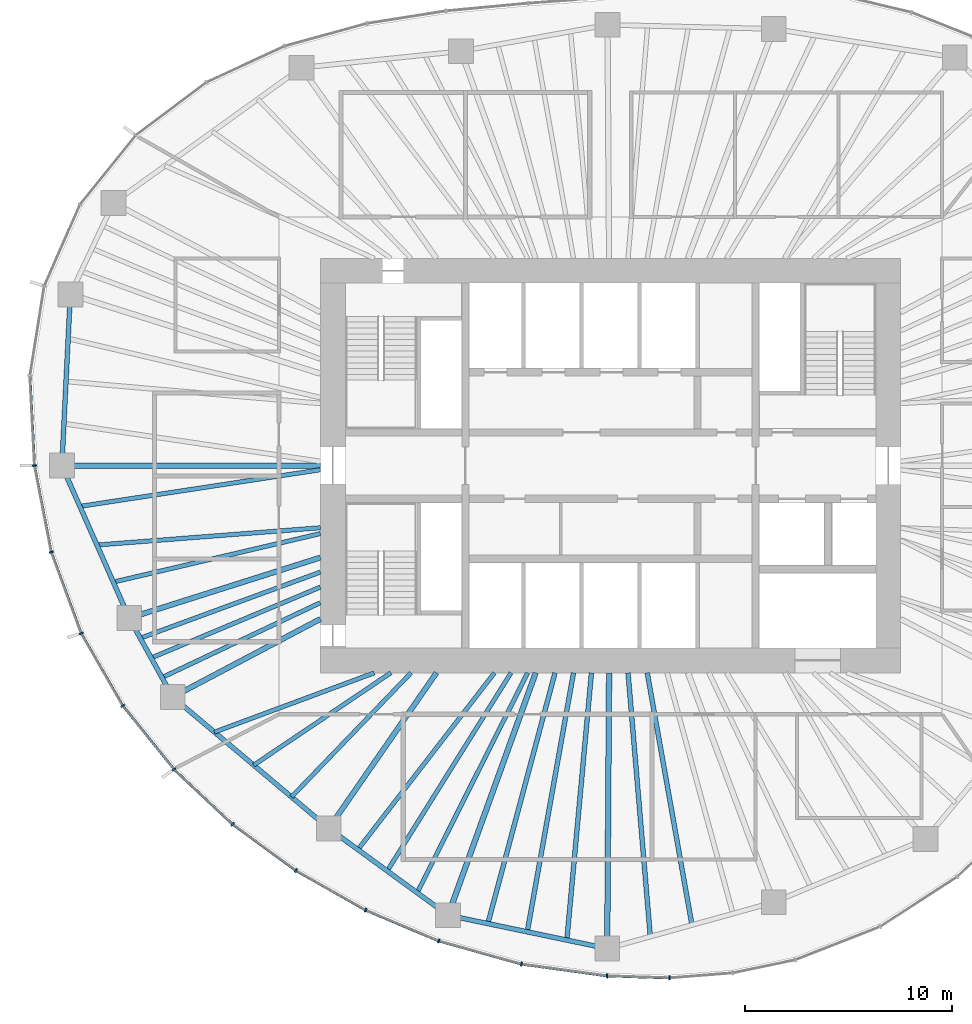
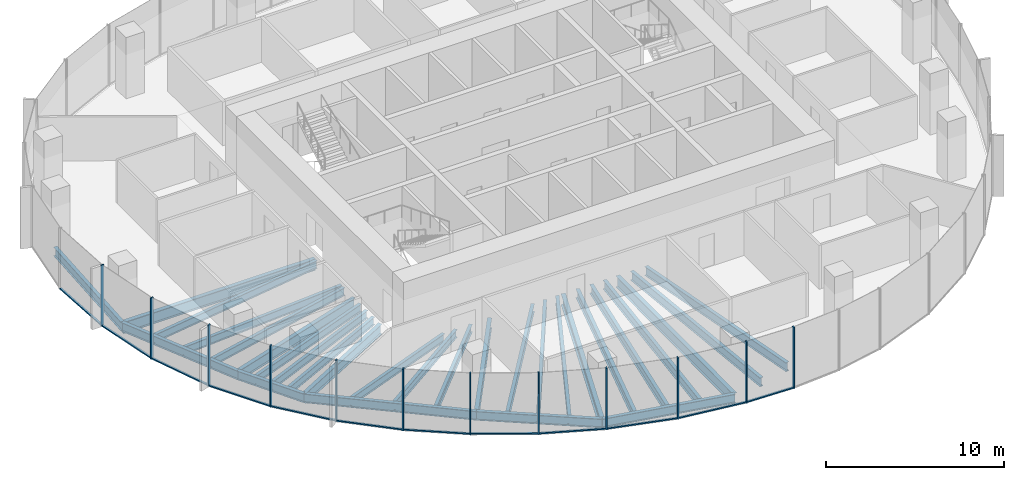
# One storey, part 2 of 11: 29 beams, 24 members, 7 elements without a shape of their own.
"""IFC4 building model written with IfcOpenShell, lengths in metres."""

from ifc_helpers import new_model, si_unit, direction, frame, origin, origin_2d, place, context, subcontext, project, spatial, rectangle, i_section, extrude, material, material_profile, profile_set, type_object, element, aggregate, save


model = new_model("IFC4")

# Units and contexts
model_context = context("Model", 3, precision=1e-05, world=origin(), true_north=direction((0.0, 1.0)))
body_context = subcontext(model_context, "Body", "Model", "MODEL_VIEW")
ifc_project = project(units=[si_unit("LENGTHUNIT", "METRE"), si_unit("AREAUNIT", "SQUARE_METRE"), si_unit("VOLUMEUNIT", "CUBIC_METRE"), si_unit("PLANEANGLEUNIT", "RADIAN"), si_unit("MASSUNIT", "GRAM", prefix="KILO")], contexts=[model_context])

# Site, building, storey
site_placement = place(None, origin())
site = spatial("IfcSite", under=ifc_project, at=site_placement, CompositionType="ELEMENT")
building_placement = place(site_placement, origin())
building = spatial("IfcBuilding", under=site, at=building_placement, Name="Ghaith Harvest Tower", CompositionType="ELEMENT")
storey_placement = place(building_placement, frame((0.0, 0.0, 245.199951171875)))
storey = spatial("IfcBuildingStorey", under=building, at=storey_placement, Name="L54", CompositionType="ELEMENT", Elevation=245.199951171875)

# Curtain wall, members
ifc_material_1 = material(Name="Black anodised aluminium and fritted glass", Category="aluminium")
curtain_wall_type = type_object("IfcCurtainWallType", Name="CW-H CURTAIN WALL", PredefinedType="NOTDEFINED", material=ifc_material_1)
curtain_wall_1_placement = place(storey_placement, origin())
curtain_wall_1 = element("IfcCurtainWall", 1, at=curtain_wall_1_placement, inside=storey, type_object=curtain_wall_type, Name="Curtain wall CW-H bay 11 L54", PredefinedType="NOTDEFINED")
ifc_material_2 = material(Name="Aluminium, black anodised", Category="aluminium")
ifc_material_profile_1 = material_profile(ifc_material_2, rectangle(XDim=0.080078125, YDim=0.199951171875, at=origin_2d()), Name="CW-H MULLION 80x200")
ifc_profile_set_1 = profile_set([ifc_material_profile_1], Name="Aluminium, black anodised")
member_type_1 = type_object("IfcMemberType", Name="CW-H MULLION 80x200", PredefinedType="MULLION", material=ifc_profile_set_1)
member_1_placement = place(storey_placement, frame((-27.794921875, 0.0, 0.0), z_axis=(0.0, 0.0, 1.0), x_axis=(0.12024996575, -0.992743645528, 0.0)))
member_1 = element("IfcMember", 2, at=member_1_placement, type_object=member_type_1, Name="CW-H mullion 1 bay 11 L54", PredefinedType="MULLION", context=body_context, shape_type="SweptSolid", body=[
    extrude(rectangle(XDim=0.080078125, YDim=0.199951171875, at=origin_2d()), origin(), (0.0, 0.0, 1.0), 4.199951171875),
])
member_2_placement = place(storey_placement, frame((-26.9853515625, -4.173828125, 0.0), z_axis=(0.0, 0.0, 1.0), x_axis=(0.268568830903, -0.963260495955, 0.0)))
member_2 = element("IfcMember", 3, at=member_2_placement, type_object=member_type_1, Name="CW-H mullion 2 bay 11 L54", PredefinedType="MULLION", context=body_context, shape_type="SweptSolid", body=[
    extrude(rectangle(XDim=0.080078125, YDim=0.199951171875, at=origin_2d()), origin(), (0.0, 0.0, 1.0), 4.199951171875),
])

curtain_wall_2_placement = place(storey_placement, origin())
curtain_wall_2 = element("IfcCurtainWall", 4, at=curtain_wall_2_placement, inside=storey, type_object=curtain_wall_type, Name="Curtain wall CW-H bay 12 L54", PredefinedType="NOTDEFINED")
member_3_placement = place(storey_placement, frame((-25.538330078125, -8.093505859375, 0.0), z_axis=(0.0, 0.0, 1.0), x_axis=(0.422308650185, -0.906452096903, 0.0)))
member_3 = element("IfcMember", 5, at=member_3_placement, type_object=member_type_1, Name="CW-H mullion 1 bay 12 L54", PredefinedType="MULLION", context=body_context, shape_type="SweptSolid", body=[
    extrude(rectangle(XDim=0.080078125, YDim=0.199951171875, at=origin_2d()), origin(), (0.0, 0.0, 1.0), 4.199951171875),
])
member_4_placement = place(storey_placement, frame((-23.533203125, -11.58349609375, 0.0), z_axis=(0.0, 0.0, 1.0), x_axis=(0.563616546013, -0.826036554312, 0.0)))
member_4 = element("IfcMember", 6, at=member_4_placement, type_object=member_type_1, Name="CW-H mullion 2 bay 12 L54", PredefinedType="MULLION", context=body_context, shape_type="SweptSolid", body=[
    extrude(rectangle(XDim=0.080078125, YDim=0.199951171875, at=origin_2d()), origin(), (0.0, 0.0, 1.0), 4.199951171875),
])

curtain_wall_3_placement = place(storey_placement, origin())
curtain_wall_3 = element("IfcCurtainWall", 7, at=curtain_wall_3_placement, inside=storey, type_object=curtain_wall_type, Name="Curtain wall CW-H bay 13 L54", PredefinedType="NOTDEFINED")
member_5_placement = place(storey_placement, frame((-21.0615234375, -14.65478515625, 0.0), z_axis=(0.0, 0.0, 1.0), x_axis=(0.679181589754, -0.733970277422, 0.0)))
member_5 = element("IfcMember", 8, at=member_5_placement, type_object=member_type_1, Name="CW-H mullion 1 bay 13 L54", PredefinedType="MULLION", context=body_context, shape_type="SweptSolid", body=[
    extrude(rectangle(XDim=0.080078125, YDim=0.199951171875, at=origin_2d()), origin(), (0.0, 0.0, 1.0), 4.199951171875),
])
member_6_placement = place(storey_placement, frame((-18.238037109375, -17.30615234375, 0.0), z_axis=(0.0, 0.0, 1.0), x_axis=(0.769216709506, -0.638987991919, 0.0)))
member_6 = element("IfcMember", 9, at=member_6_placement, type_object=member_type_1, Name="CW-H mullion 2 bay 13 L54", PredefinedType="MULLION", context=body_context, shape_type="SweptSolid", body=[
    extrude(rectangle(XDim=0.080078125, YDim=0.199951171875, at=origin_2d()), origin(), (0.0, 0.0, 1.0), 4.199951171875),
])

curtain_wall_4_placement = place(storey_placement, origin())
curtain_wall_4 = element("IfcCurtainWall", 10, at=curtain_wall_4_placement, inside=storey, type_object=curtain_wall_type, Name="Curtain wall CW-H bay 14 L54", PredefinedType="NOTDEFINED")
member_7_placement = place(storey_placement, frame((-15.177490234375, -19.542724609375, 0.0), z_axis=(0.0, 0.0, 1.0), x_axis=(0.840233591157, -0.5422245958, 0.0)))
member_7 = element("IfcMember", 11, at=member_7_placement, type_object=member_type_1, Name="CW-H mullion 1 bay 14 L54", PredefinedType="MULLION", context=body_context, shape_type="SweptSolid", body=[
    extrude(rectangle(XDim=0.080078125, YDim=0.199951171875, at=origin_2d()), origin(), (0.0, 0.0, 1.0), 4.199951171875),
])
member_8_placement = place(storey_placement, frame((-11.815185546875, -21.45068359375, 0.0), z_axis=(0.0, 0.0, 1.0), x_axis=(0.896852966189, -0.442328788389, 0.0)))
member_8 = element("IfcMember", 12, at=member_8_placement, type_object=member_type_1, Name="CW-H mullion 2 bay 14 L54", PredefinedType="MULLION", context=body_context, shape_type="SweptSolid", body=[
    extrude(rectangle(XDim=0.080078125, YDim=0.199951171875, at=origin_2d()), origin(), (0.0, 0.0, 1.0), 4.199951171875),
])

curtain_wall_5_placement = place(storey_placement, origin())
curtain_wall_5 = element("IfcCurtainWall", 13, at=curtain_wall_5_placement, inside=storey, type_object=curtain_wall_type, Name="Curtain wall CW-H bay 15 L54", PredefinedType="NOTDEFINED")
member_9_placement = place(storey_placement, frame((-8.285888671875, -22.941650390625, 0.0), z_axis=(0.0, 0.0, 1.0), x_axis=(0.944906041636, -0.327341675439, 0.0)))
member_9 = element("IfcMember", 14, at=member_9_placement, type_object=member_type_1, Name="CW-H mullion 1 bay 15 L54", PredefinedType="MULLION", context=body_context, shape_type="SweptSolid", body=[
    extrude(rectangle(XDim=0.080078125, YDim=0.199951171875, at=origin_2d()), origin(), (0.0, 0.0, 1.0), 4.199951171875),
])
member_10_placement = place(storey_placement, frame((-4.2958984375, -24.0556640625, 0.0), z_axis=(0.0, 0.0, 1.0), x_axis=(0.979161388311, -0.203083666601, 0.0)))
member_10 = element("IfcMember", 15, at=member_10_placement, type_object=member_type_1, Name="CW-H mullion 2 bay 15 L54", PredefinedType="MULLION", context=body_context, shape_type="SweptSolid", body=[
    extrude(rectangle(XDim=0.080078125, YDim=0.199951171875, at=origin_2d()), origin(), (0.0, 0.0, 1.0), 4.199951171875),
])

curtain_wall_6_placement = place(storey_placement, origin())
curtain_wall_6 = element("IfcCurtainWall", 16, at=curtain_wall_6_placement, inside=storey, type_object=curtain_wall_type, Name="Curtain wall CW-H bay 16 L54", PredefinedType="NOTDEFINED")
member_11_placement = place(storey_placement, frame((-0.16845703125, -24.625244140625, 0.0), z_axis=(0.0, 0.0, 1.0), x_axis=(0.99568459113, -0.092801912617, 0.0)))
member_11 = element("IfcMember", 17, at=member_11_placement, type_object=member_type_1, Name="CW-H mullion 1 bay 16 L54", PredefinedType="MULLION", context=body_context, shape_type="SweptSolid", body=[
    extrude(rectangle(XDim=0.080078125, YDim=0.199951171875, at=origin_2d()), origin(), (0.0, 0.0, 1.0), 4.199951171875),
])
member_12_placement = place(storey_placement, frame((2.84765625, -24.721435546875, 0.0), z_axis=(0.0, 0.0, 1.0), x_axis=(0.999724413906, 0.02347543907, 0.0)))
member_12 = element("IfcMember", 18, at=member_12_placement, type_object=member_type_1, Name="CW-H mullion 2 bay 16 L54", PredefinedType="MULLION", context=body_context, shape_type="SweptSolid", body=[
    extrude(rectangle(XDim=0.080078125, YDim=0.199951171875, at=origin_2d()), origin(), (0.0, 0.0, 1.0), 4.199951171875),
])

# Curtain wall, member
curtain_wall_7_placement = place(storey_placement, origin())
curtain_wall_7 = element("IfcCurtainWall", 19, at=curtain_wall_7_placement, inside=storey, type_object=curtain_wall_type, Name="Curtain wall CW-H bay 10 L54", PredefinedType="NOTDEFINED")
ifc_material_3 = material(Name="Aluminium, black anodised", Category="aluminium")
ifc_material_profile_2 = material_profile(ifc_material_3, rectangle(XDim=0.1298828125, YDim=0.080078125, at=origin_2d()), Name="CW-H TRANSOM 130x80")
ifc_profile_set_2 = profile_set([ifc_material_profile_2], Name="Aluminium, black anodised")
member_type_2 = type_object("IfcMemberType", Name="CW-H TRANSOM 130x80", PredefinedType="USERDEFINED", material=ifc_profile_set_2)
member_13_placement = place(storey_placement, frame((-28.013671875, 4.293212890625, 0.0400390625), z_axis=(0.05084969311, -0.998706317548, 0.0), x_axis=(0.998706317548, 0.05084969311, 0.0)))
member_13 = element("IfcMember", 20, at=member_13_placement, type_object=member_type_2, Name="CW-H transom 2 bay 10 L54", ObjectType="TRANSOM", PredefinedType="USERDEFINED", context=body_context, shape_type="SweptSolid", body=[
    extrude(rectangle(XDim=0.1298828125, YDim=0.080078125, at=origin_2d()), origin(), (0.0, 0.0, 1.0), 4.2587890625),
])
aggregate(curtain_wall_7, [member_13])

# Member
member_14_placement = place(storey_placement, frame((-27.787353515625, -0.039306640625, 0.0400390625), z_axis=(0.190440428338, -0.981698753821, 0.0), x_axis=(0.981698753821, 0.190440428338, 0.0)))
member_14 = element("IfcMember", 21, at=member_14_placement, type_object=member_type_2, Name="CW-H transom 1 bay 11 L54", ObjectType="TRANSOM", PredefinedType="USERDEFINED", context=body_context, shape_type="SweptSolid", body=[
    extrude(rectangle(XDim=0.1298828125, YDim=0.080078125, at=origin_2d()), origin(), (0.0, 0.0, 1.0), 4.171630859375),
])

member_15_placement = place(storey_placement, frame((-26.971435546875, -4.21142578125, 0.0400390625), z_axis=(0.346287782987, -0.93812833416, 0.0), x_axis=(0.93812833416, 0.346287782987, 0.0)))
member_15 = element("IfcMember", 22, at=member_15_placement, type_object=member_type_2, Name="CW-H transom 2 bay 11 L54", ObjectType="TRANSOM", PredefinedType="USERDEFINED", context=body_context, shape_type="SweptSolid", body=[
    extrude(rectangle(XDim=0.1298828125, YDim=0.080078125, at=origin_2d()), origin(), (0.0, 0.0, 1.0), 4.098388671875),
])

aggregate(curtain_wall_1, [member_1, member_14, member_2, member_15])

member_16_placement = place(storey_placement, frame((-25.5185546875, -8.128173828125, 0.0400390625), z_axis=(0.498176929488, -0.86707539864, 0.0), x_axis=(0.86707539864, 0.498176929488, 0.0)))
member_16 = element("IfcMember", 23, at=member_16_placement, type_object=member_type_2, Name="CW-H transom 1 bay 12 L54", ObjectType="TRANSOM", PredefinedType="USERDEFINED", context=body_context, shape_type="SweptSolid", body=[
    extrude(rectangle(XDim=0.1298828125, YDim=0.080078125, at=origin_2d()), origin(), (0.0, 0.0, 1.0), 3.945068359375),
])

member_17_placement = place(storey_placement, frame((-23.508056640625, -11.61474609375, 0.0400390625), z_axis=(0.626958878139, -0.779052350694, 0.0), x_axis=(0.779052350694, 0.626958878139, 0.0)))
member_17 = element("IfcMember", 24, at=member_17_placement, type_object=member_type_2, Name="CW-H transom 2 bay 12 L54", ObjectType="TRANSOM", PredefinedType="USERDEFINED", context=body_context, shape_type="SweptSolid", body=[
    extrude(rectangle(XDim=0.1298828125, YDim=0.080078125, at=origin_2d()), origin(), (0.0, 0.0, 1.0), 3.862060546875),
])

aggregate(curtain_wall_2, [member_3, member_16, member_4, member_17])

member_18_placement = place(storey_placement, frame((-21.032470703125, -14.68212890625, 0.0400390625), z_axis=(0.729025183709, -0.684486874613, 0.0), x_axis=(0.684486874613, 0.729025183709, 0.0)))
member_18 = element("IfcMember", 25, at=member_18_placement, type_object=member_type_2, Name="CW-H transom 1 bay 13 L54", ObjectType="TRANSOM", PredefinedType="USERDEFINED", context=body_context, shape_type="SweptSolid", body=[
    extrude(rectangle(XDim=0.1298828125, YDim=0.080078125, at=origin_2d()), origin(), (0.0, 0.0, 1.0), 3.793212890625),
])

member_19_placement = place(storey_placement, frame((-18.20556640625, -17.32958984375, 0.0400390625), z_axis=(0.807368217185, -0.590047931849, 0.0), x_axis=(0.590047931849, 0.807368217185, 0.0)))
member_19 = element("IfcMember", 26, at=member_19_placement, type_object=member_type_2, Name="CW-H transom 2 bay 13 L54", ObjectType="TRANSOM", PredefinedType="USERDEFINED", context=body_context, shape_type="SweptSolid", body=[
    extrude(rectangle(XDim=0.1298828125, YDim=0.080078125, at=origin_2d()), origin(), (0.0, 0.0, 1.0), 3.710693359375),
])

aggregate(curtain_wall_3, [member_5, member_18, member_6, member_19])

member_20_placement = place(storey_placement, frame((-15.142822265625, -19.5625, 0.0400390625), z_axis=(0.869735291487, -0.493518513068, 0.0), x_axis=(0.493518513068, 0.869735291487, 0.0)))
member_20 = element("IfcMember", 27, at=member_20_placement, type_object=member_type_2, Name="CW-H transom 1 bay 14 L54", ObjectType="TRANSOM", PredefinedType="USERDEFINED", context=body_context, shape_type="SweptSolid", body=[
    extrude(rectangle(XDim=0.1298828125, YDim=0.080078125, at=origin_2d()), origin(), (0.0, 0.0, 1.0), 3.785888671875),
])

member_21_placement = place(storey_placement, frame((-11.7783203125, -21.46630859375, 0.0400390625), z_axis=(0.921182691948, -0.38913037411, 0.0), x_axis=(0.38913037411, 0.921182691948, 0.0)))
member_21 = element("IfcMember", 28, at=member_21_placement, type_object=member_type_2, Name="CW-H transom 2 bay 14 L54", ObjectType="TRANSOM", PredefinedType="USERDEFINED", context=body_context, shape_type="SweptSolid", body=[
    extrude(rectangle(XDim=0.1298828125, YDim=0.080078125, at=origin_2d()), origin(), (0.0, 0.0, 1.0), 3.751220703125),
])

aggregate(curtain_wall_4, [member_7, member_20, member_8, member_21])

member_22_placement = place(storey_placement, frame((-8.24755859375, -22.952392578125, 0.0400390625), z_axis=(0.963164092269, -0.268914356932, 0.0), x_axis=(0.268914356932, 0.963164092269, 0.0)))
member_22 = element("IfcMember", 29, at=member_22_placement, type_object=member_type_2, Name="CW-H transom 1 bay 15 L54", ObjectType="TRANSOM", PredefinedType="USERDEFINED", context=body_context, shape_type="SweptSolid", body=[
    extrude(rectangle(XDim=0.1298828125, YDim=0.080078125, at=origin_2d()), origin(), (0.0, 0.0, 1.0), 4.062744140625),
])

member_23_placement = place(storey_placement, frame((-4.25634765625, -24.06103515625, 0.0400390625), z_axis=(0.990605228149, -0.136752630555, 0.0), x_axis=(0.136752630555, 0.990605228149, 0.0)))
member_23 = element("IfcMember", 30, at=member_23_placement, type_object=member_type_2, Name="CW-H transom 2 bay 15 L54", ObjectType="TRANSOM", PredefinedType="USERDEFINED", context=body_context, shape_type="SweptSolid", body=[
    extrude(rectangle(XDim=0.1298828125, YDim=0.080078125, at=origin_2d()), origin(), (0.0, 0.0, 1.0), 4.08642578125),
])

aggregate(curtain_wall_5, [member_9, member_22, member_10, member_23])

member_24_placement = place(storey_placement, frame((-0.128662109375, -24.62646484375, 0.0400390625), z_axis=(0.999490770233, -0.031909249731, 0.0), x_axis=(0.031909249731, 0.999490770233, 0.0)))
member_24 = element("IfcMember", 31, at=member_24_placement, type_object=member_type_2, Name="CW-H transom 1 bay 16 L54", ObjectType="TRANSOM", PredefinedType="USERDEFINED", context=body_context, shape_type="SweptSolid", body=[
    extrude(rectangle(XDim=0.1298828125, YDim=0.080078125, at=origin_2d()), origin(), (0.0, 0.0, 1.0), 2.93798828125),
])

aggregate(curtain_wall_6, [member_11, member_24, member_12])

# Beams
ifc_material_4 = material(Name="Steel ASTM A992 Grade 50", Category="steel")
ifc_material_profile_3 = material_profile(ifc_material_4, i_section(OverallWidth=0.22900390625, OverallDepth=0.612060546875, WebThickness=0.011962890625, FlangeThickness=0.01953125, at=origin_2d()), Name="W610X125")
ifc_profile_set_3 = profile_set([ifc_material_profile_3], Name="Steel ASTM A992 Grade 50")
beam_type_1 = type_object("IfcBeamType", Name="E610-125 W610X125", PredefinedType="SPANDREL", material=ifc_profile_set_3)
beam_1_placement = place(storey_placement, frame((-26.06689453125, 8.260986328125, -0.475830078125), z_axis=(-0.049353148492, -0.998781390863, 0.0), x_axis=(0.998781390863, -0.049353148492, 0.0)))
element("IfcBeam", 32, at=beam_1_placement, inside=storey, type_object=beam_type_1, Name="Edge beam E10 L54", PredefinedType="SPANDREL", context=body_context, shape_type="SweptSolid", body=[
    extrude(i_section(OverallWidth=0.22900390625, OverallDepth=0.612060546875, WebThickness=0.011962890625, FlangeThickness=0.01953125, at=origin_2d()), origin(), (0.0, 0.0, 1.0), 8.27099609375),
])
beam_2_placement = place(storey_placement, frame((-26.47509765625, 0.0, -0.475830078125), z_axis=(0.404042817399, -0.914740073304, 0.0), x_axis=(0.914740073304, 0.404042817399, 0.0)))
element("IfcBeam", 33, at=beam_2_placement, inside=storey, type_object=beam_type_1, Name="Edge beam E11 L54", PredefinedType="SPANDREL", context=body_context, shape_type="SweptSolid", body=[
    extrude(i_section(OverallWidth=0.22900390625, OverallDepth=0.612060546875, WebThickness=0.011962890625, FlangeThickness=0.01953125, at=origin_2d()), origin(), (0.0, 0.0, 1.0), 8.046142578125),
])
beam_3_placement = place(storey_placement, frame((-23.22412109375, -7.360107421875, -0.475830078125), z_axis=(0.482955575345, -0.875644855089, 0.0), x_axis=(0.875644855089, 0.482955575345, 0.0)))
element("IfcBeam", 34, at=beam_3_placement, inside=storey, type_object=beam_type_1, Name="Edge beam E12 L54", PredefinedType="SPANDREL", context=body_context, shape_type="SweptSolid", body=[
    extrude(i_section(OverallWidth=0.22900390625, OverallDepth=0.612060546875, WebThickness=0.011962890625, FlangeThickness=0.01953125, at=origin_2d()), origin(), (0.0, 0.0, 1.0), 4.346435546875),
])
beam_4_placement = place(storey_placement, frame((-21.125, -11.166015625, -0.475830078125), z_axis=(0.765021818761, -0.64400436087, 0.0), x_axis=(0.64400436087, 0.765021818761, 0.0)))
element("IfcBeam", 35, at=beam_4_placement, inside=storey, type_object=beam_type_1, Name="Edge beam E13 L54", PredefinedType="SPANDREL", context=body_context, shape_type="SweptSolid", body=[
    extrude(i_section(OverallWidth=0.22900390625, OverallDepth=0.612060546875, WebThickness=0.011962890625, FlangeThickness=0.01953125, at=origin_2d()), origin(), (0.0, 0.0, 1.0), 9.8427734375),
])
beam_5_placement = place(storey_placement, frame((-13.594970703125, -17.5048828125, -0.475830078125), z_axis=(0.808194782503, -0.588915268553, 0.0), x_axis=(0.588915268553, 0.808194782503, 0.0)))
element("IfcBeam", 36, at=beam_5_placement, inside=storey, type_object=beam_type_1, Name="Edge beam E14 L54", PredefinedType="SPANDREL", context=body_context, shape_type="SweptSolid", body=[
    extrude(i_section(OverallWidth=0.22900390625, OverallDepth=0.612060546875, WebThickness=0.011962890625, FlangeThickness=0.01953125, at=origin_2d()), origin(), (0.0, 0.0, 1.0), 7.123291015625),
])
beam_6_placement = place(storey_placement, frame((-7.837890625, -21.699951171875, -0.475830078125), z_axis=(0.978847910797, -0.20458926543, 0.0), x_axis=(0.20458926543, 0.978847910797, 0.0)))
element("IfcBeam", 37, at=beam_6_placement, inside=storey, type_object=beam_type_1, Name="Edge beam E15 L54", PredefinedType="SPANDREL", context=body_context, shape_type="SweptSolid", body=[
    extrude(i_section(OverallWidth=0.22900390625, OverallDepth=0.612060546875, WebThickness=0.011962890625, FlangeThickness=0.01953125, at=origin_2d()), origin(), (0.0, 0.0, 1.0), 7.844970703125),
])
ifc_material_5 = material(Name="Steel ASTM A992 Grade 50", Category="steel")
ifc_material_profile_4 = material_profile(ifc_material_5, i_section(OverallWidth=0.256103515625, OverallDepth=0.693115234375, WebThickness=0.014404296875, FlangeThickness=0.023681640625, at=origin_2d()), Name="W690X170")
ifc_profile_set_4 = profile_set([ifc_material_profile_4], Name="Steel ASTM A992 Grade 50")
beam_type_2 = type_object("IfcBeamType", Name="G690-170 W690X170", PredefinedType="BEAM", material=ifc_profile_set_4)
beam_7_placement = place(storey_placement, frame((-14.0, -4.43701171875, -0.516357421875), z_axis=(-0.953279028151, -0.302091202267, 0.0), x_axis=(0.302091202267, -0.953279028151, 0.0)))
element("IfcBeam", 38, at=beam_7_placement, inside=storey, type_object=beam_type_2, Name="Radial girder G12 L54", PredefinedType="BEAM", context=body_context, shape_type="SweptSolid", body=[
    extrude(i_section(OverallWidth=0.256103515625, OverallDepth=0.693115234375, WebThickness=0.014404296875, FlangeThickness=0.023681640625, at=origin_2d()), origin(), (0.0, 0.0, 1.0), 9.67626953125),
])
beam_8_placement = place(storey_placement, frame((-14.0, -7.39990234375, -0.516357421875), z_axis=(-0.88409279474, -0.46731138472, 0.0), x_axis=(0.46731138472, -0.88409279474, 0.0)))
element("IfcBeam", 39, at=beam_8_placement, inside=storey, type_object=beam_type_2, Name="Radial girder G13 L54", PredefinedType="BEAM", context=body_context, shape_type="SweptSolid", body=[
    extrude(i_section(OverallWidth=0.256103515625, OverallDepth=0.693115234375, WebThickness=0.014404296875, FlangeThickness=0.023681640625, at=origin_2d()), origin(), (0.0, 0.0, 1.0), 8.05908203125),
])
beam_9_placement = place(storey_placement, frame((-8.39990234375, -10.0, -0.516357421875), z_axis=(-0.569164078909, -0.822223966617, 0.0), x_axis=(0.822223966617, -0.569164078909, 0.0)))
element("IfcBeam", 40, at=beam_9_placement, inside=storey, type_object=beam_type_2, Name="Radial girder G14 L54", PredefinedType="BEAM", context=body_context, shape_type="SweptSolid", body=[
    extrude(i_section(OverallWidth=0.256103515625, OverallDepth=0.693115234375, WebThickness=0.014404296875, FlangeThickness=0.023681640625, at=origin_2d()), origin(), (0.0, 0.0, 1.0), 9.12744140625),
])
ifc_material_6 = material(Name="Steel ASTM A992 Grade 50", Category="steel")
ifc_material_profile_5 = material_profile(ifc_material_6, i_section(OverallWidth=0.26806640625, OverallDepth=0.77001953125, WebThickness=0.015625, FlangeThickness=0.025390625, at=origin_2d()), Name="W760X196")
ifc_profile_set_5 = profile_set([ifc_material_profile_5], Name="Steel ASTM A992 Grade 50")
beam_type_3 = type_object("IfcBeamType", Name="G760-196 W760X196", PredefinedType="BEAM", material=ifc_profile_set_5)
beam_10_placement = place(storey_placement, frame((-14.0, 0.0, -0.554931640625), z_axis=(-1.0, 0.0, 0.0), x_axis=(0.0, -1.0, 0.0)))
element("IfcBeam", 41, at=beam_10_placement, inside=storey, type_object=beam_type_3, Name="Radial girder G11 L54", PredefinedType="BEAM", context=body_context, shape_type="SweptSolid", body=[
    extrude(i_section(OverallWidth=0.26806640625, OverallDepth=0.77001953125, WebThickness=0.015625, FlangeThickness=0.025390625, at=origin_2d()), origin(), (0.0, 0.0, 1.0), 12.47509765625),
])
beam_11_placement = place(storey_placement, frame((-3.61181640625, -10.0, -0.554931640625), z_axis=(-0.339722108335, -0.940525857756, 0.0), x_axis=(0.940525857756, -0.339722108335, 0.0)))
element("IfcBeam", 42, at=beam_11_placement, inside=storey, type_object=beam_type_3, Name="Radial girder G15 L54", PredefinedType="BEAM", context=body_context, shape_type="SweptSolid", body=[
    extrude(i_section(OverallWidth=0.26806640625, OverallDepth=0.77001953125, WebThickness=0.015625, FlangeThickness=0.025390625, at=origin_2d()), origin(), (0.0, 0.0, 1.0), 12.439697265625),
])
beam_12_placement = place(storey_placement, frame((-0.068359375, -10.0, -0.554931640625), z_axis=(-0.00680755644, -0.999976828319, 0.0), x_axis=(0.999976828319, -0.00680755644, 0.0)))
element("IfcBeam", 43, at=beam_12_placement, inside=storey, type_object=beam_type_3, Name="Radial girder G16 L54", PredefinedType="BEAM", context=body_context, shape_type="SweptSolid", body=[
    extrude(i_section(OverallWidth=0.26806640625, OverallDepth=0.77001953125, WebThickness=0.015625, FlangeThickness=0.025390625, at=origin_2d()), origin(), (0.0, 0.0, 1.0), 13.30517578125),
])
ifc_material_7 = material(Name="Steel ASTM A992 Grade 50", Category="steel")
ifc_material_profile_6 = material_profile(ifc_material_7, i_section(OverallWidth=0.2109375, OverallDepth=0.5390625, WebThickness=0.01171875, FlangeThickness=0.018798828125, at=origin_2d()), Name="W530X109")
ifc_profile_set_6 = profile_set([ifc_material_profile_6], Name="Steel ASTM A992 Grade 50")
beam_type_4 = type_object("IfcBeamType", Name="J530-109 W530X109", PredefinedType="JOIST", material=ifc_profile_set_6)
beam_13_placement = place(storey_placement, frame((-14.0, -0.199951171875, -0.439453125), z_axis=(-0.988587077715, -0.150650555178, 0.0), x_axis=(0.150650555178, -0.988587077715, 0.0)))
element("IfcBeam", 44, at=beam_13_placement, inside=storey, type_object=beam_type_4, Name="Joist J11.1 L54", PredefinedType="JOIST", context=body_context, shape_type="SweptSolid", body=[
    extrude(i_section(OverallWidth=0.2109375, OverallDepth=0.5390625, WebThickness=0.01171875, FlangeThickness=0.018798828125, at=origin_2d()), origin(), (0.0, 0.0, 1.0), 11.739501953125),
])
beam_14_placement = place(storey_placement, frame((-14.0, -3.0, -0.439453125), z_axis=(-0.997028799301, -0.077029691443, 0.0), x_axis=(0.077029691443, -0.997028799301, 0.0)))
element("IfcBeam", 45, at=beam_14_placement, inside=storey, type_object=beam_type_4, Name="Joist J11.2 L54", PredefinedType="JOIST", context=body_context, shape_type="SweptSolid", body=[
    extrude(i_section(OverallWidth=0.2109375, OverallDepth=0.5390625, WebThickness=0.01171875, FlangeThickness=0.018798828125, at=origin_2d()), origin(), (0.0, 0.0, 1.0), 10.814208984375),
])
beam_15_placement = place(storey_placement, frame((-14.0, -3.280517578125, -0.439453125), z_axis=(-0.97362176086, -0.22816806696, 0.0), x_axis=(0.22816806696, -0.97362176086, 0.0)))
element("IfcBeam", 46, at=beam_15_placement, inside=storey, type_object=beam_type_4, Name="Joist J11.3 L54", PredefinedType="JOIST", context=body_context, shape_type="SweptSolid", body=[
    extrude(i_section(OverallWidth=0.2109375, OverallDepth=0.5390625, WebThickness=0.01171875, FlangeThickness=0.018798828125, at=origin_2d()), origin(), (0.0, 0.0, 1.0), 10.262451171875),
])
beam_16_placement = place(storey_placement, frame((-5.60009765625, -10.0, -0.439453125), z_axis=(-0.611412687895, -0.791311901264, 0.0), x_axis=(0.791311901264, -0.611412687895, 0.0)))
element("IfcBeam", 47, at=beam_16_placement, inside=storey, type_object=beam_type_4, Name="Joist J14.1 L54", PredefinedType="JOIST", context=body_context, shape_type="SweptSolid", body=[
    extrude(i_section(OverallWidth=0.2109375, OverallDepth=0.5390625, WebThickness=0.01171875, FlangeThickness=0.018798828125, at=origin_2d()), origin(), (0.0, 0.0, 1.0), 10.778076171875),
])
beam_17_placement = place(storey_placement, frame((-4.800048828125, -10.0, -0.439453125), z_axis=(-0.529921073682, -0.848046965484, 0.0), x_axis=(0.848046965484, -0.529921073682, 0.0)))
element("IfcBeam", 48, at=beam_17_placement, inside=storey, type_object=beam_type_4, Name="Joist J14.2 L54", PredefinedType="JOIST", context=body_context, shape_type="SweptSolid", body=[
    extrude(i_section(OverallWidth=0.2109375, OverallDepth=0.5390625, WebThickness=0.01171875, FlangeThickness=0.018798828125, at=origin_2d()), origin(), (0.0, 0.0, 1.0), 11.273681640625),
])
beam_18_placement = place(storey_placement, frame((-4.0, -10.0, -0.439453125), z_axis=(-0.448791718068, -0.893636387908, 0.0), x_axis=(0.893636387908, -0.448791718068, 0.0)))
element("IfcBeam", 49, at=beam_18_placement, inside=storey, type_object=beam_type_4, Name="Joist J14.3 L54", PredefinedType="JOIST", context=body_context, shape_type="SweptSolid", body=[
    extrude(i_section(OverallWidth=0.2109375, OverallDepth=0.5390625, WebThickness=0.01171875, FlangeThickness=0.018798828125, at=origin_2d()), origin(), (0.0, 0.0, 1.0), 11.8759765625),
])
ifc_material_8 = material(Name="Steel ASTM A992 Grade 50", Category="steel")
ifc_material_profile_7 = material_profile(ifc_material_8, i_section(OverallWidth=0.208984375, OverallDepth=0.532958984375, WebThickness=0.01025390625, FlangeThickness=0.015625, at=origin_2d()), Name="W530X92")
ifc_profile_set_7 = profile_set([ifc_material_profile_7], Name="Steel ASTM A992 Grade 50")
beam_type_5 = type_object("IfcBeamType", Name="J530-92 W530X92", PredefinedType="JOIST", material=ifc_profile_set_7)
beam_19_placement = place(storey_placement, frame((-14.0, -5.137939453125, -0.4365234375), z_axis=(-0.93877284801, -0.34453670318, 0.0), x_axis=(0.34453670318, -0.93877284801, 0.0)))
element("IfcBeam", 50, at=beam_19_placement, inside=storey, type_object=beam_type_5, Name="Joist J12.1 L54", PredefinedType="JOIST", context=body_context, shape_type="SweptSolid", body=[
    extrude(i_section(OverallWidth=0.208984375, OverallDepth=0.532958984375, WebThickness=0.01025390625, FlangeThickness=0.015625, at=origin_2d()), origin(), (0.0, 0.0, 1.0), 9.25732421875),
])
beam_20_placement = place(storey_placement, frame((-14.0, -5.862548828125, -0.4365234375), z_axis=(-0.922387515293, -0.386265804377, 0.0), x_axis=(0.386265804377, -0.922387515293, 0.0)))
element("IfcBeam", 51, at=beam_20_placement, inside=storey, type_object=beam_type_5, Name="Joist J12.2 L54", PredefinedType="JOIST", context=body_context, shape_type="SweptSolid", body=[
    extrude(i_section(OverallWidth=0.208984375, OverallDepth=0.532958984375, WebThickness=0.01025390625, FlangeThickness=0.015625, at=origin_2d()), origin(), (0.0, 0.0, 1.0), 8.851318359375),
])
beam_21_placement = place(storey_placement, frame((-14.0, -6.614990234375, -0.4365234375), z_axis=(-0.90415786724, -0.427198491462, 0.0), x_axis=(0.427198491462, -0.90415786724, 0.0)))
element("IfcBeam", 52, at=beam_21_placement, inside=storey, type_object=beam_type_5, Name="Joist J12.3 L54", PredefinedType="JOIST", context=body_context, shape_type="SweptSolid", body=[
    extrude(i_section(OverallWidth=0.208984375, OverallDepth=0.532958984375, WebThickness=0.01025390625, FlangeThickness=0.015625, at=origin_2d()), origin(), (0.0, 0.0, 1.0), 8.45361328125),
])
beam_22_placement = place(storey_placement, frame((-11.39990234375, -10.0, -0.4365234375), z_axis=(-0.937594001899, -0.34773191916, 0.0), x_axis=(0.34773191916, -0.937594001899, 0.0)))
element("IfcBeam", 53, at=beam_22_placement, inside=storey, type_object=beam_type_5, Name="Joist J13.1 L54", PredefinedType="JOIST", context=body_context, shape_type="SweptSolid", body=[
    extrude(i_section(OverallWidth=0.208984375, OverallDepth=0.532958984375, WebThickness=0.01025390625, FlangeThickness=0.015625, at=origin_2d()), origin(), (0.0, 0.0, 1.0), 8.225830078125),
])
beam_23_placement = place(storey_placement, frame((-10.60009765625, -10.0, -0.4365234375), z_axis=(-0.829594017544, -0.55836705316, 0.0), x_axis=(0.55836705316, -0.829594017544, 0.0)))
element("IfcBeam", 54, at=beam_23_placement, inside=storey, type_object=beam_type_5, Name="Joist J13.2 L54", PredefinedType="JOIST", context=body_context, shape_type="SweptSolid", body=[
    extrude(i_section(OverallWidth=0.208984375, OverallDepth=0.532958984375, WebThickness=0.01025390625, FlangeThickness=0.015625, at=origin_2d()), origin(), (0.0, 0.0, 1.0), 7.977783203125),
])
beam_24_placement = place(storey_placement, frame((-9.626708984375, -10.0, -0.4365234375), z_axis=(-0.693546892509, -0.720411485119, 0.0), x_axis=(0.720411485119, -0.693546892509, 0.0)))
element("IfcBeam", 55, at=beam_24_placement, inside=storey, type_object=beam_type_5, Name="Joist J13.3 L54", PredefinedType="JOIST", context=body_context, shape_type="SweptSolid", body=[
    extrude(i_section(OverallWidth=0.208984375, OverallDepth=0.532958984375, WebThickness=0.01025390625, FlangeThickness=0.015625, at=origin_2d()), origin(), (0.0, 0.0, 1.0), 8.3154296875),
])
ifc_material_9 = material(Name="Steel ASTM A992 Grade 50", Category="steel")
ifc_material_profile_8 = material_profile(ifc_material_9, i_section(OverallWidth=0.22900390625, OverallDepth=0.612060546875, WebThickness=0.011962890625, FlangeThickness=0.01953125, at=origin_2d()), Name="W610X125")
ifc_profile_set_8 = profile_set([ifc_material_profile_8], Name="Steel ASTM A992 Grade 50")
beam_type_6 = type_object("IfcBeamType", Name="J610-125 W610X125", PredefinedType="JOIST", material=ifc_profile_set_8)
beam_25_placement = place(storey_placement, frame((-2.677978515625, -10.0, -0.475830078125), z_axis=(-0.258683807585, -0.965962052926, 0.0), x_axis=(0.965962052926, -0.258683807585, 0.0)))
element("IfcBeam", 56, at=beam_25_placement, inside=storey, type_object=beam_type_6, Name="Joist J15.1 L54", PredefinedType="JOIST", context=body_context, shape_type="SweptSolid", body=[
    extrude(i_section(OverallWidth=0.22900390625, OverallDepth=0.612060546875, WebThickness=0.011962890625, FlangeThickness=0.01953125, at=origin_2d()), origin(), (0.0, 0.0, 1.0), 12.52783203125),
])
beam_26_placement = place(storey_placement, frame((-1.785888671875, -10.0, -0.475830078125), z_axis=(-0.17579463172, -0.984426862422, 0.0), x_axis=(0.984426862422, -0.17579463172, 0.0)))
element("IfcBeam", 57, at=beam_26_placement, inside=storey, type_object=beam_type_6, Name="Joist J15.2 L54", PredefinedType="JOIST", context=body_context, shape_type="SweptSolid", body=[
    extrude(i_section(OverallWidth=0.22900390625, OverallDepth=0.612060546875, WebThickness=0.011962890625, FlangeThickness=0.01953125, at=origin_2d()), origin(), (0.0, 0.0, 1.0), 12.6962890625),
])
beam_27_placement = place(storey_placement, frame((-0.92041015625, -10.0, -0.475830078125), z_axis=(-0.091645483251, -0.995791697796, 0.0), x_axis=(0.995791697796, -0.091645483251, 0.0)))
element("IfcBeam", 58, at=beam_27_placement, inside=storey, type_object=beam_type_6, Name="Joist J15.3 L54", PredefinedType="JOIST", context=body_context, shape_type="SweptSolid", body=[
    extrude(i_section(OverallWidth=0.22900390625, OverallDepth=0.612060546875, WebThickness=0.011962890625, FlangeThickness=0.01953125, at=origin_2d()), origin(), (0.0, 0.0, 1.0), 12.9521484375),
])
beam_28_placement = place(storey_placement, frame((0.844970703125, -10.0, -0.475830078125), z_axis=(0.084217590158, -0.996447388229, 0.0), x_axis=(0.996447388229, 0.084217590158, 0.0)))
element("IfcBeam", 59, at=beam_28_placement, inside=storey, type_object=beam_type_6, Name="Joist J16.1 L54", PredefinedType="JOIST", context=body_context, shape_type="SweptSolid", body=[
    extrude(i_section(OverallWidth=0.22900390625, OverallDepth=0.612060546875, WebThickness=0.011962890625, FlangeThickness=0.01953125, at=origin_2d()), origin(), (0.0, 0.0, 1.0), 12.772705078125),
])
beam_29_placement = place(storey_placement, frame((1.772705078125, -10.0, -0.475830078125), z_axis=(0.174551600477, -0.984648027861, 0.0), x_axis=(0.984648027861, 0.174551600477, 0.0)))
element("IfcBeam", 60, at=beam_29_placement, inside=storey, type_object=beam_type_6, Name="Joist J16.2 L54", PredefinedType="JOIST", context=body_context, shape_type="SweptSolid", body=[
    extrude(i_section(OverallWidth=0.22900390625, OverallDepth=0.612060546875, WebThickness=0.011962890625, FlangeThickness=0.01953125, at=origin_2d()), origin(), (0.0, 0.0, 1.0), 12.358642578125),
])

save(model, "model.ifc")
